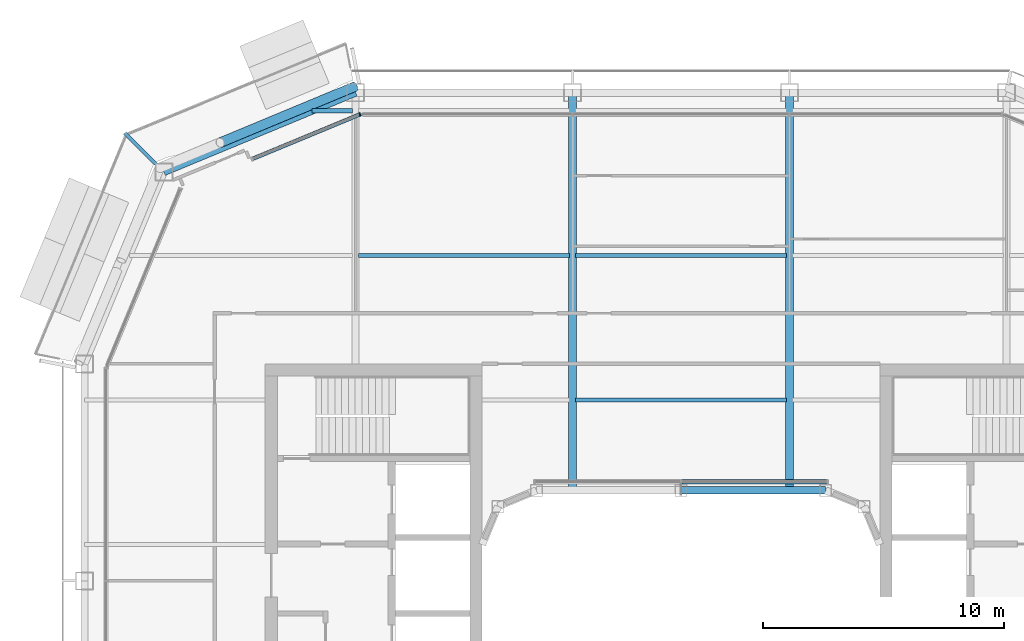
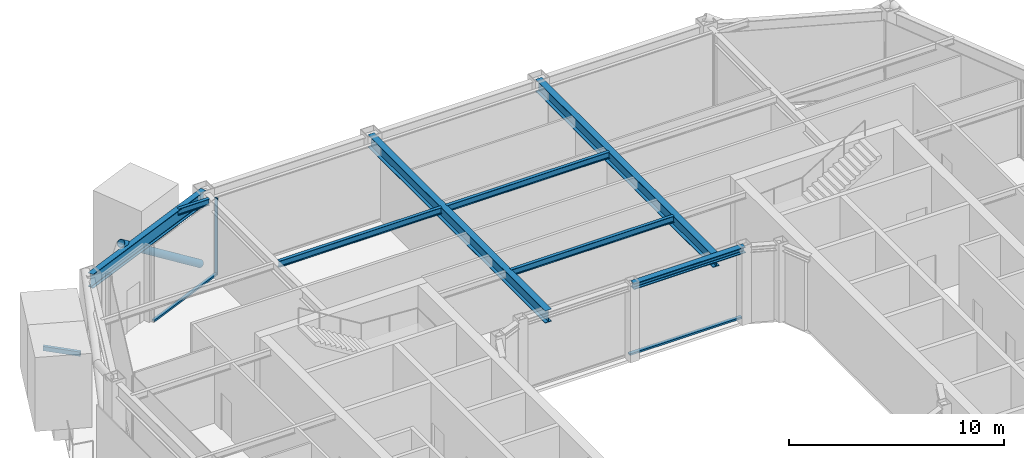
# One storey, part 7 of 21: 9 beams, 4 members, 2 elements without a shape of their own.
"""IFC4 building model written with IfcOpenShell, lengths in metres."""

from ifc_helpers import new_model, si_unit, direction, frame, origin, origin_2d, place, context, subcontext, project, spatial, rectangle, hollow_rectangle, hollow_circle, i_section, extrude, material, layer, layer_set, material_profile, profile_set, type_object, element, aggregate, save


model = new_model("IFC4")

# Units and contexts
model_context = context("Model", 3, precision=1e-05, world=origin(), true_north=direction((0.0, 1.0)))
body_context = subcontext(model_context, "Body", "Model", "MODEL_VIEW")
ifc_project = project(units=[si_unit("LENGTHUNIT", "METRE"), si_unit("AREAUNIT", "SQUARE_METRE"), si_unit("VOLUMEUNIT", "CUBIC_METRE"), si_unit("PLANEANGLEUNIT", "RADIAN"), si_unit("MASSUNIT", "GRAM", prefix="KILO")], contexts=[model_context])

# Site, building, storey
site_placement = place(None, origin())
site = spatial("IfcSite", under=ifc_project, at=site_placement, CompositionType="ELEMENT")
building_placement = place(site_placement, origin())
building = spatial("IfcBuilding", under=site, at=building_placement, Name="Siwar Civic Tower", CompositionType="ELEMENT")
storey_placement = place(building_placement, frame((0.0, 0.0, 312.199951171875)))
storey = spatial("IfcBuildingStorey", under=building, at=storey_placement, Name="L67", CompositionType="ELEMENT", Elevation=312.199951171875)

# Beam
ifc_material_1 = material(Name="Steel S355", Category="steel")
ifc_material_profile_1 = material_profile(ifc_material_1, hollow_rectangle(XDim=0.14990234375, YDim=0.25, WallThickness=0.010009765625, at=origin_2d()), Name="RHS250x150x10")
ifc_profile_set_1 = profile_set([ifc_material_profile_1], Name="Steel S355")
beam_type_1 = type_object("IfcBeamType", Name="ENV-BALCONY ARM", PredefinedType="BEAM", material=ifc_profile_set_1)
beam_1_placement = place(storey_placement, frame((-21.794677734375, 21.794677734375, -0.27490234375), z_axis=(-0.707106781187, 0.707106781187, 0.0), x_axis=(-0.707106781187, -0.707106781187, 0.0)))
element("IfcBeam", 1, at=beam_1_placement, inside=storey, type_object=beam_type_1, Name="Balcony cantilever beam NW 2", PredefinedType="BEAM", context=body_context, shape_type="SweptSolid", body=[
    extrude(hollow_rectangle(XDim=0.14990234375, YDim=0.25, WallThickness=0.010009765625, at=origin_2d()), origin(), (0.0, 0.0, 1.0), 1.792724609375),
])

# Curtain wall, members
ifc_material_2 = material(Name="Aluminium clad insulated panel", Category="aluminium")
ifc_layer_1 = layer(ifc_material_2, 0.159912109375)
ifc_layer_set_1 = layer_set([ifc_layer_1], Name="Aluminium clad insulated panel")
curtain_wall_type_1 = type_object("IfcCurtainWallType", Name="ENV-CW-DX", PredefinedType="NOTDEFINED", material=ifc_layer_set_1)
curtain_wall_1_placement = place(storey_placement, origin())
curtain_wall_1 = element("IfcCurtainWall", 2, at=curtain_wall_1_placement, inside=storey, type_object=curtain_wall_type_1, Name="Curtain wall D NW1", PredefinedType="NOTDEFINED")
ifc_material_3 = material(Name="Aluminium 6063-T6", Category="aluminium")
ifc_material_profile_2 = material_profile(ifc_material_3, rectangle(XDim=0.159912109375, YDim=0.06005859375, at=origin_2d()), Name="AL 160x60")
ifc_profile_set_2 = profile_set([ifc_material_profile_2], Name="Aluminium 6063-T6")
member_type_1 = type_object("IfcMemberType", Name="ENV-MULLION-D", PredefinedType="MULLION", material=ifc_profile_set_2)
member_1_placement = place(storey_placement, frame((-13.321044921875, 23.85009765625, 0.0), z_axis=(0.0, 0.0, 1.0), x_axis=(0.382683432365, -0.923879532511, 0.0)))
member_1 = element("IfcMember", 3, at=member_1_placement, type_object=member_type_1, Name="Mullion D NW1 1", PredefinedType="MULLION", context=body_context, shape_type="SweptSolid", body=[
    extrude(rectangle(XDim=0.159912109375, YDim=0.06005859375, at=origin_2d()), origin(), (0.0, 0.0, 1.0), 4.35009765625),
])
ifc_material_4 = material(Name="Aluminium 6063-T6", Category="aluminium")
ifc_material_profile_3 = material_profile(ifc_material_4, rectangle(XDim=0.159912109375, YDim=0.10009765625, at=origin_2d()), Name="AL 160x100")
ifc_profile_set_3 = profile_set([ifc_material_profile_3], Name="Aluminium 6063-T6")
member_type_2 = type_object("IfcMemberType", Name="ENV-TRANSOM-D", PredefinedType="USERDEFINED", material=ifc_profile_set_3)
member_2_placement = place(storey_placement, frame((-13.3486328125, 23.838623046875, 0.050048828125), z_axis=(-0.923877601363, -0.382688094537, 0.0), x_axis=(0.382688094537, -0.923877601363, 0.0)))
member_2 = element("IfcMember", 4, at=member_2_placement, type_object=member_type_2, Name="Transom D NW1 1", ObjectType="TRANSOM", PredefinedType="USERDEFINED", context=body_context, shape_type="SweptSolid", body=[
    extrude(rectangle(XDim=0.159912109375, YDim=0.10009765625, at=origin_2d()), origin(), (0.0, 0.0, 1.0), 4.787353515625),
])
aggregate(curtain_wall_1, [member_1, member_2])

# Curtain wall, member
ifc_material_5 = material(Name="Aluminium and glass", Category="aluminium")
ifc_layer_2 = layer(ifc_material_5, 0.179931640625)
ifc_layer_set_2 = layer_set([ifc_layer_2], Name="Aluminium and glass")
curtain_wall_type_2 = type_object("IfcCurtainWallType", Name="ENV-CW-W", PredefinedType="NOTDEFINED", material=ifc_layer_set_2)
curtain_wall_2_placement = place(storey_placement, origin())
curtain_wall_2 = element("IfcCurtainWall", 5, at=curtain_wall_2_placement, inside=storey, type_object=curtain_wall_type_2, Name="Curtain wall W WN", PredefinedType="NOTDEFINED")
ifc_material_6 = material(Name="Aluminium 6063-T6", Category="aluminium")
ifc_material_profile_4 = material_profile(ifc_material_6, rectangle(XDim=0.179931640625, YDim=0.10009765625, at=origin_2d()), Name="AL 180x100")
ifc_profile_set_4 = profile_set([ifc_material_profile_4], Name="Aluminium 6063-T6")
member_type_3 = type_object("IfcMemberType", Name="ENV-TRANSOM-W", PredefinedType="USERDEFINED", material=ifc_profile_set_4)
member_3_placement = place(storey_placement, frame((6.04150390625, 8.610107421875, 0.050048828125), z_axis=(-1.0, 0.0, 0.0), x_axis=(0.0, -1.0, 0.0)))
member_3 = element("IfcMember", 6, at=member_3_placement, type_object=member_type_3, Name="Transom W WN 1", ObjectType="TRANSOM", PredefinedType="USERDEFINED", context=body_context, shape_type="SweptSolid", body=[
    extrude(rectangle(XDim=0.179931640625, YDim=0.10009765625, at=origin_2d()), origin(), (0.0, 0.0, 1.0), 6.011474609375),
])
aggregate(curtain_wall_2, [member_3])

# Member
ifc_material_7 = material(Name="Steel S355", Category="steel")
ifc_material_profile_5 = material_profile(ifc_material_7, hollow_circle(Radius=0.203125, WallThickness=0.01611328125, at=origin_2d()), Name="CHS406.4x16")
ifc_profile_set_5 = profile_set([ifc_material_profile_5], Name="Steel S355")
member_type_4 = type_object("IfcMemberType", Name="STR-BR-CHS406.4x16", PredefinedType="BRACE", material=ifc_profile_set_5)
member_4_placement = place(storey_placement, frame((-13.548828125, 24.9951171875, 0.0), z_axis=(-0.739973158344, -0.307903068035, 0.598026275029), x_axis=(0.384169803352, -0.923262455747, 0.0)))
element("IfcMember", 7, at=member_4_placement, inside=storey, type_object=member_type_4, Name="L67/brc/DNW1-6-0-0", PredefinedType="BRACE", context=body_context, shape_type="SweptSolid", body=[
    extrude(hollow_circle(Radius=0.203125, WallThickness=0.01611328125, at=origin_2d()), origin(), (0.0, 0.0, 1.0), 7.524658203125),
])

# Beams
ifc_material_8 = material(Name="Steel S355", Category="steel")
ifc_material_profile_6 = material_profile(ifc_material_8, i_section(OverallWidth=0.169921875, OverallDepth=0.360107421875, WebThickness=0.008056640625, FlangeThickness=0.0126953125, FilletRadius=0.01806640625, at=origin_2d()), Name="IPE360")
ifc_profile_set_6 = profile_set([ifc_material_profile_6], Name="Steel S355")
beam_type_2 = type_object("IfcBeamType", Name="STR-FB-IPE360", PredefinedType="JOIST", material=ifc_profile_set_6)
for number, where, z_axis, x_axis, name in (
    (8, (-4.3701171875, 12.0, 4.170166015625), (1.0, 0.0, 0.0), (0.0, 1.0, 0.0), "L67/bm/F024"),
    (9, (-13.3701171875, 18.0, 4.170166015625), (1.0, 0.0, 0.0), (0.0, 1.0, 0.0), "L67/bm/F028"),
    (10, (-4.3701171875, 18.0, 4.170166015625), (1.0, 0.0, 0.0), (0.0, 1.0, 0.0), "L67/bm/F029"),
):
    element("IfcBeam", number, at=place(storey_placement, frame(where, z_axis=z_axis, x_axis=x_axis)), inside=storey, type_object=beam_type_2, Name=name, PredefinedType="JOIST", context=body_context, shape_type="SweptSolid", body=[
        extrude(i_section(OverallWidth=0.169921875, OverallDepth=0.360107421875, WebThickness=0.008056640625, FlangeThickness=0.0126953125, FilletRadius=0.01806640625, at=origin_2d()), origin(), (0.0, 0.0, 1.0), 8.740234375),
    ])
beam_2_placement = place(storey_placement, frame((-15.310546875, 24.0, 4.170166015625), z_axis=(1.0, 0.0, 0.0), x_axis=(0.0, 1.0, 0.0)))
element("IfcBeam", 11, at=beam_2_placement, inside=storey, type_object=beam_type_2, Name="L67/bm/F032", PredefinedType="JOIST", context=body_context, shape_type="SweptSolid", body=[
    extrude(i_section(OverallWidth=0.169921875, OverallDepth=0.360107421875, WebThickness=0.008056640625, FlangeThickness=0.0126953125, FilletRadius=0.01806640625, at=origin_2d()), origin(), (0.0, 0.0, 1.0), 1.6806640625),
])
ifc_material_9 = material(Name="Steel S355", Category="steel")
ifc_material_profile_7 = material_profile(ifc_material_9, i_section(OverallWidth=0.340087890625, OverallDepth=0.699951171875, WebThickness=0.013916015625, FlangeThickness=0.030029296875, at=origin_2d()), Name="PG700x340x14x30")
ifc_profile_set_7 = profile_set([ifc_material_profile_7], Name="Steel S355")
beam_type_3 = type_object("IfcBeamType", Name="STR-PG-PG700x340x14x30", PredefinedType="BEAM", material=ifc_profile_set_7)
for number, where, z_axis, x_axis, name in (
    (12, (-4.5, 8.25, 4.0), (0.0, 1.0, 0.0), (-1.0, 0.0, 0.0), "L67/bm/G04"),
    (13, (4.5, 8.25, 4.0), (0.0, 1.0, 0.0), (-1.0, 0.0, 0.0), "L67/bm/G06"),
):
    element("IfcBeam", number, at=place(storey_placement, frame(where, z_axis=z_axis, x_axis=x_axis)), inside=storey, type_object=beam_type_3, Name=name, PredefinedType="BEAM", context=body_context, shape_type="SweptSolid", body=[
        extrude(i_section(OverallWidth=0.340087890625, OverallDepth=0.699951171875, WebThickness=0.013916015625, FlangeThickness=0.030029296875, at=origin_2d()), origin(), (0.0, 0.0, 1.0), 16.5),
    ])
ifc_material_10 = material(Name="Steel S355", Category="steel")
ifc_material_profile_8 = material_profile(ifc_material_10, i_section(OverallWidth=0.31005859375, OverallDepth=0.340087890625, WebThickness=0.02099609375, FlangeThickness=0.0390625, FilletRadius=0.027099609375, at=origin_2d()), Name="HEM300")
ifc_profile_set_8 = profile_set([ifc_material_profile_8], Name="Steel S355")
beam_type_4 = type_object("IfcBeamType", Name="STR-RB-HEM300", PredefinedType="BEAM", material=ifc_profile_set_8)
beam_3_placement = place(storey_placement, frame((0.0, 8.25, 4.179931640625), z_axis=(1.0, 0.0, 0.0), x_axis=(0.0, 1.0, 0.0)))
element("IfcBeam", 14, at=beam_3_placement, inside=storey, type_object=beam_type_4, Name="L67/bm/RN2", PredefinedType="BEAM", context=body_context, shape_type="SweptSolid", body=[
    extrude(i_section(OverallWidth=0.31005859375, OverallDepth=0.340087890625, WebThickness=0.02099609375, FlangeThickness=0.0390625, FilletRadius=0.027099609375, at=origin_2d()), origin(), (0.0, 0.0, 1.0), 6.0),
])
ifc_material_11 = material(Name="Steel S355", Category="steel")
ifc_material_profile_9 = material_profile(ifc_material_11, i_section(OverallWidth=0.300048828125, OverallDepth=0.800048828125, WebThickness=0.017578125, FlangeThickness=0.032958984375, FilletRadius=0.030029296875, at=origin_2d()), Name="HEB800")
ifc_profile_set_9 = profile_set([ifc_material_profile_9], Name="Steel S355")
beam_type_5 = type_object("IfcBeamType", Name="STR-SB-HEB800", PredefinedType="BEAM", material=ifc_profile_set_9)
beam_4_placement = place(storey_placement, frame((-13.5, 24.75, 3.949951171875), z_axis=(-0.923872720536, -0.382699877515, 0.0), x_axis=(0.382699877515, -0.923872720536, 0.0)))
element("IfcBeam", 15, at=beam_4_placement, inside=storey, type_object=beam_type_5, Name="L67/bm/SNW1-0", PredefinedType="BEAM", context=body_context, shape_type="SweptSolid", body=[
    extrude(i_section(OverallWidth=0.300048828125, OverallDepth=0.800048828125, WebThickness=0.017578125, FlangeThickness=0.032958984375, FilletRadius=0.030029296875, at=origin_2d()), origin(), (0.0, 0.0, 1.0), 8.6103515625),
])

save(model, "model.ifc")
